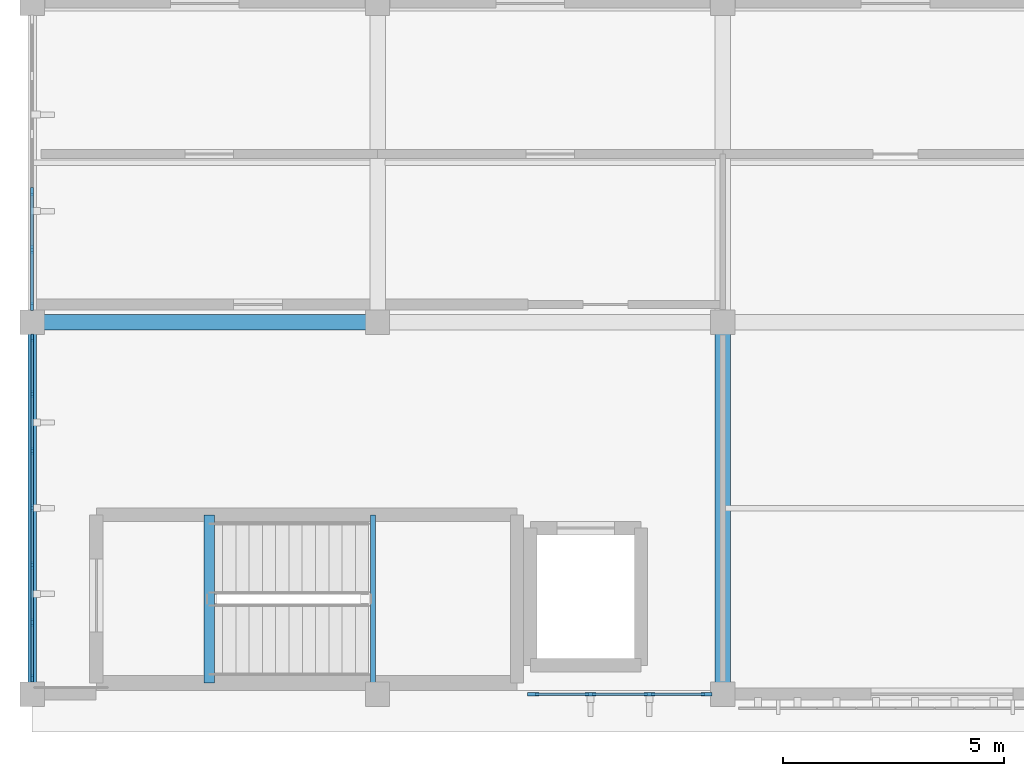
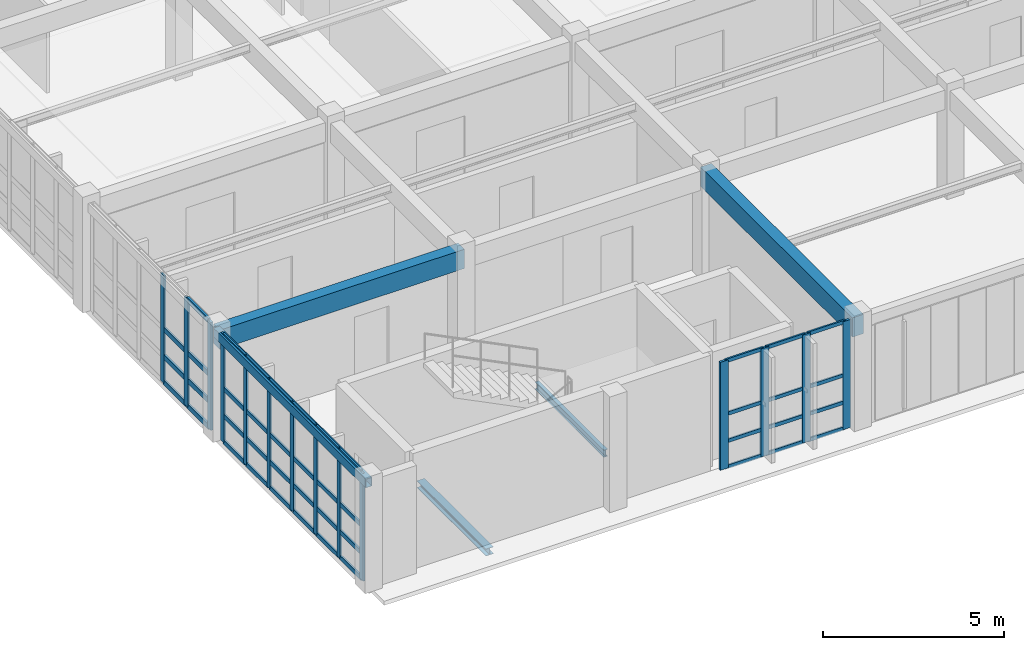
# One storey, part 5 of 35: 57 members, 5 beams, 3 elements without a shape of their own.
"""IFC4 building model written with IfcOpenShell, lengths in metres."""

from ifc_helpers import new_model, si_unit, direction, frame, origin, origin_2d, place, context, subcontext, project, spatial, rectangle, hollow_rectangle, i_section, extrude, material, material_profile, profile_set, type_object, element, aggregate, save


model = new_model("IFC4")

# Units and contexts
model_context = context("Model", 3, precision=1e-05, world=origin(), true_north=direction((0.0, 1.0)))
body_context = subcontext(model_context, "Body", "Model", "MODEL_VIEW")
ifc_project = project(units=[si_unit("LENGTHUNIT", "METRE"), si_unit("AREAUNIT", "SQUARE_METRE"), si_unit("VOLUMEUNIT", "CUBIC_METRE"), si_unit("PLANEANGLEUNIT", "RADIAN"), si_unit("MASSUNIT", "GRAM", prefix="KILO")], contexts=[model_context])

# Site, building, storey
site_placement = place(None, origin())
site = spatial("IfcSite", under=ifc_project, at=site_placement, CompositionType="ELEMENT")
building_placement = place(site_placement, origin())
building = spatial("IfcBuilding", under=site, at=building_placement, Name="Tizgana Railside Sports Hall", CompositionType="ELEMENT")
storey_placement = place(building_placement, frame((0.0, 0.0, 15.89990234375)))
storey = spatial("IfcBuildingStorey", under=building, at=storey_placement, Name="L03", CompositionType="ELEMENT", Elevation=15.89990234375)

# Beams
ifc_material_1 = material(Name="Concrete C35/45", Category="concrete")
ifc_material_profile_1 = material_profile(ifc_material_1, rectangle(XDim=0.35009765625, YDim=0.64990234375, at=origin_2d()), Name="RCB 350x650")
ifc_profile_set_1 = profile_set([ifc_material_profile_1], Name="Concrete C35/45")
beam_type_1 = type_object("IfcBeamType", Name="Concrete Beam RCB 350x650", PredefinedType="BEAM", material=ifc_profile_set_1)
beam_1_placement = place(storey_placement, frame((23.39990234375, 0.0, 3.31103515625), z_axis=(0.0, 1.0, 0.0), x_axis=(-1.0, 0.0, 0.0)))
element("IfcBeam", 1, at=beam_1_placement, inside=storey, type_object=beam_type_1, Name="L03 BEM-0710", PredefinedType="BEAM", context=body_context, shape_type="SweptSolid", body=[
    extrude(rectangle(XDim=0.35009765625, YDim=0.64990234375, at=origin_2d()), origin(), (0.0, 0.0, 1.0), 8.39990234375),
])
beam_2_placement = place(storey_placement, frame((7.800048828125, 8.39990234375, 3.31103515625), z_axis=(1.0, 0.0, 0.0), x_axis=(0.0, 1.0, 0.0)))
element("IfcBeam", 2, at=beam_2_placement, inside=storey, type_object=beam_type_1, Name="L03 BEM-0732", PredefinedType="BEAM", context=body_context, shape_type="SweptSolid", body=[
    extrude(rectangle(XDim=0.35009765625, YDim=0.64990234375, at=origin_2d()), origin(), (0.0, 0.0, 1.0), 7.800048828125),
])

# Curtain wall, members
ifc_material_2 = material(Name="Anodised aluminium and glass", Category="aluminium")
curtain_wall_type_1 = type_object("IfcCurtainWallType", Name="Unitised Curtain Wall Concourse 1500", PredefinedType="NOTDEFINED", material=ifc_material_2)
curtain_wall_1_placement = place(storey_placement, origin())
curtain_wall_1 = element("IfcCurtainWall", 3, at=curtain_wall_1_placement, inside=storey, type_object=curtain_wall_type_1, Name="L03 Curtain Wall CW-0128", PredefinedType="NOTDEFINED")
ifc_material_3 = material(Name="Anodised aluminium", Category="aluminium")
ifc_material_profile_2 = material_profile(ifc_material_3, rectangle(XDim=0.06005859375, YDim=0.179931640625, at=origin_2d()), Name="Mullion 60x180")
ifc_profile_set_2 = profile_set([ifc_material_profile_2], Name="Anodised aluminium")
member_type_1 = type_object("IfcMemberType", Name="Mullion 60x180", PredefinedType="MULLION", material=ifc_profile_set_2)
member_1_placement = place(storey_placement, frame((7.800048828125, 8.0400390625, 0.0), z_axis=(0.0, 0.0, 1.0), x_axis=(1.0, 0.0, 0.0)))
member_1 = element("IfcMember", 4, at=member_1_placement, type_object=member_type_1, Name="CW-01 mullion 1", PredefinedType="MULLION", context=body_context, shape_type="SweptSolid", body=[
    extrude(rectangle(XDim=0.06005859375, YDim=0.179931640625, at=origin_2d()), origin(), (0.0, 0.0, 1.0), 3.64013671875),
])
member_2_placement = place(storey_placement, frame((7.800048828125, 6.780029296875, 0.0), z_axis=(0.0, 0.0, 1.0), x_axis=(1.0, 0.0, 0.0)))
member_2 = element("IfcMember", 5, at=member_2_placement, type_object=member_type_1, Name="CW-01 mullion 2", PredefinedType="MULLION", context=body_context, shape_type="SweptSolid", body=[
    extrude(rectangle(XDim=0.06005859375, YDim=0.179931640625, at=origin_2d()), origin(), (0.0, 0.0, 1.0), 3.64013671875),
])
member_3_placement = place(storey_placement, frame((7.800048828125, 5.489990234375, 0.0), z_axis=(0.0, 0.0, 1.0), x_axis=(1.0, 0.0, 0.0)))
member_3 = element("IfcMember", 6, at=member_3_placement, type_object=member_type_1, Name="CW-01 mullion 3", PredefinedType="MULLION", context=body_context, shape_type="SweptSolid", body=[
    extrude(rectangle(XDim=0.06005859375, YDim=0.179931640625, at=origin_2d()), origin(), (0.0, 0.0, 1.0), 3.64013671875),
])
member_4_placement = place(storey_placement, frame((7.800048828125, 4.199951171875, 0.0), z_axis=(0.0, 0.0, 1.0), x_axis=(1.0, 0.0, 0.0)))
member_4 = element("IfcMember", 7, at=member_4_placement, type_object=member_type_1, Name="CW-01 mullion 4", PredefinedType="MULLION", context=body_context, shape_type="SweptSolid", body=[
    extrude(rectangle(XDim=0.06005859375, YDim=0.179931640625, at=origin_2d()), origin(), (0.0, 0.0, 1.0), 3.64013671875),
])
member_5_placement = place(storey_placement, frame((7.800048828125, 2.909912109375, 0.0), z_axis=(0.0, 0.0, 1.0), x_axis=(1.0, 0.0, 0.0)))
member_5 = element("IfcMember", 8, at=member_5_placement, type_object=member_type_1, Name="CW-01 mullion 5", PredefinedType="MULLION", context=body_context, shape_type="SweptSolid", body=[
    extrude(rectangle(XDim=0.06005859375, YDim=0.179931640625, at=origin_2d()), origin(), (0.0, 0.0, 1.0), 3.64013671875),
])
member_6_placement = place(storey_placement, frame((7.800048828125, 1.6201171875, 0.0), z_axis=(0.0, 0.0, 1.0), x_axis=(1.0, 0.0, 0.0)))
member_6 = element("IfcMember", 9, at=member_6_placement, type_object=member_type_1, Name="CW-01 mullion 6", PredefinedType="MULLION", context=body_context, shape_type="SweptSolid", body=[
    extrude(rectangle(XDim=0.06005859375, YDim=0.179931640625, at=origin_2d()), origin(), (0.0, 0.0, 1.0), 3.64013671875),
])
member_7_placement = place(storey_placement, frame((7.800048828125, 0.360107421875, 0.0), z_axis=(0.0, 0.0, 1.0), x_axis=(1.0, 0.0, 0.0)))
member_7 = element("IfcMember", 10, at=member_7_placement, type_object=member_type_1, Name="CW-01 mullion 7", PredefinedType="MULLION", context=body_context, shape_type="SweptSolid", body=[
    extrude(rectangle(XDim=0.06005859375, YDim=0.179931640625, at=origin_2d()), origin(), (0.0, 0.0, 1.0), 3.64013671875),
])

curtain_wall_type_2 = type_object("IfcCurtainWallType", Name="Unitised Curtain Wall Foyer 1300", PredefinedType="NOTDEFINED", material=ifc_material_2)
curtain_wall_2_placement = place(storey_placement, origin())
curtain_wall_2 = element("IfcCurtainWall", 11, at=curtain_wall_2_placement, inside=storey, type_object=curtain_wall_type_2, Name="L03 Curtain Wall CW-0129", PredefinedType="NOTDEFINED")
ifc_material_profile_3 = material_profile(ifc_material_3, rectangle(XDim=0.06494140625, YDim=0.199951171875, at=origin_2d()), Name="Mullion 65x200")
ifc_profile_set_3 = profile_set([ifc_material_profile_3], Name="Anodised aluminium")
member_type_2 = type_object("IfcMemberType", Name="Mullion 65x200", PredefinedType="MULLION", material=ifc_profile_set_3)
member_8_placement = place(storey_placement, frame((7.800048828125, 11.345947265625, 0.0), z_axis=(0.0, 0.0, 1.0), x_axis=(1.0, 0.0, 0.0)))
member_8 = element("IfcMember", 12, at=member_8_placement, type_object=member_type_2, Name="CW-02 mullion 4", PredefinedType="MULLION", context=body_context, shape_type="SweptSolid", body=[
    extrude(rectangle(XDim=0.06494140625, YDim=0.199951171875, at=origin_2d()), origin(), (0.0, 0.0, 1.0), 3.64013671875),
])
member_9_placement = place(storey_placement, frame((7.800048828125, 10.0380859375, 0.0), z_axis=(0.0, 0.0, 1.0), x_axis=(1.0, 0.0, 0.0)))
member_9 = element("IfcMember", 13, at=member_9_placement, type_object=member_type_2, Name="CW-02 mullion 5", PredefinedType="MULLION", context=body_context, shape_type="SweptSolid", body=[
    extrude(rectangle(XDim=0.06494140625, YDim=0.199951171875, at=origin_2d()), origin(), (0.0, 0.0, 1.0), 3.64013671875),
])
member_10_placement = place(storey_placement, frame((7.800048828125, 8.762451171875, 0.0), z_axis=(0.0, 0.0, 1.0), x_axis=(1.0, 0.0, 0.0)))
member_10 = element("IfcMember", 14, at=member_10_placement, type_object=member_type_2, Name="CW-02 mullion 6", PredefinedType="MULLION", context=body_context, shape_type="SweptSolid", body=[
    extrude(rectangle(XDim=0.06494140625, YDim=0.199951171875, at=origin_2d()), origin(), (0.0, 0.0, 1.0), 3.64013671875),
])

curtain_wall_type_3 = type_object("IfcCurtainWallType", Name="Unitised Curtain Wall EastHall 1500", PredefinedType="NOTDEFINED", material=ifc_material_2)
curtain_wall_3_placement = place(storey_placement, origin())
curtain_wall_3 = element("IfcCurtainWall", 15, at=curtain_wall_3_placement, inside=storey, type_object=curtain_wall_type_3, Name="L03 Curtain Wall CW-0119", PredefinedType="NOTDEFINED")
ifc_material_profile_4 = material_profile(ifc_material_3, rectangle(XDim=0.074951171875, YDim=0.25, at=origin_2d()), Name="Mullion 75x250")
ifc_profile_set_4 = profile_set([ifc_material_profile_4], Name="Anodised aluminium")
member_type_3 = type_object("IfcMemberType", Name="Mullion 75x250", PredefinedType="MULLION", material=ifc_profile_set_4)
member_11_placement = place(storey_placement, frame((23.032470703125, 0.0, 0.0), z_axis=(0.0, 0.0, 1.0), x_axis=(0.0, -1.0, 0.0)))
member_11 = element("IfcMember", 16, at=member_11_placement, type_object=member_type_3, Name="CW-08 mullion 1", PredefinedType="MULLION", context=body_context, shape_type="SweptSolid", body=[
    extrude(rectangle(XDim=0.074951171875, YDim=0.25, at=origin_2d()), origin(), (0.0, 0.0, 1.0), 3.64013671875),
])
member_12_placement = place(storey_placement, frame((21.739990234375, 0.0, 0.0), z_axis=(0.0, 0.0, 1.0), x_axis=(0.0, -1.0, 0.0)))
member_12 = element("IfcMember", 17, at=member_12_placement, type_object=member_type_3, Name="CW-08 mullion 2", PredefinedType="MULLION", context=body_context, shape_type="SweptSolid", body=[
    extrude(rectangle(XDim=0.074951171875, YDim=0.25, at=origin_2d()), origin(), (0.0, 0.0, 1.0), 3.64013671875),
])
member_13_placement = place(storey_placement, frame((20.409912109375, 0.0, 0.0), z_axis=(0.0, 0.0, 1.0), x_axis=(0.0, -1.0, 0.0)))
member_13 = element("IfcMember", 18, at=member_13_placement, type_object=member_type_3, Name="CW-08 mullion 3", PredefinedType="MULLION", context=body_context, shape_type="SweptSolid", body=[
    extrude(rectangle(XDim=0.074951171875, YDim=0.25, at=origin_2d()), origin(), (0.0, 0.0, 1.0), 3.64013671875),
])
member_14_placement = place(storey_placement, frame((19.117431640625, 0.0, 0.0), z_axis=(0.0, 0.0, 1.0), x_axis=(0.0, -1.0, 0.0)))
member_14 = element("IfcMember", 19, at=member_14_placement, type_object=member_type_3, Name="CW-08 mullion 4", PredefinedType="MULLION", context=body_context, shape_type="SweptSolid", body=[
    extrude(rectangle(XDim=0.074951171875, YDim=0.25, at=origin_2d()), origin(), (0.0, 0.0, 1.0), 3.64013671875),
])

# Beams
ifc_material_4 = material(Name="Steel S355J2", Category="steel")
ifc_material_profile_5 = material_profile(ifc_material_4, i_section(OverallWidth=0.1201171875, OverallDepth=0.239990234375, WebThickness=0.006103515625, FlangeThickness=0.009765625, FilletRadius=0.014892578125, at=origin_2d()), Name="IPE 240")
ifc_profile_set_5 = profile_set([ifc_material_profile_5], Name="Steel S355J2")
beam_type_2 = type_object("IfcBeamType", Name="Stair Mid-Landing Header IPE 240", PredefinedType="JOIST", material=ifc_profile_set_5)
beam_3_placement = place(storey_placement, frame((15.5, 0.25, 1.628173828125), z_axis=(0.0, 1.0, 0.0), x_axis=(-1.0, 0.0, 0.0)))
element("IfcBeam", 20, at=beam_3_placement, inside=storey, type_object=beam_type_2, Name="L03 C1 Mid Header 1", PredefinedType="JOIST", context=body_context, shape_type="SweptSolid", body=[
    extrude(i_section(OverallWidth=0.1201171875, OverallDepth=0.239990234375, WebThickness=0.006103515625, FlangeThickness=0.009765625, FilletRadius=0.014892578125, at=origin_2d()), origin(), (0.0, 0.0, 1.0), 3.800048828125),
])
ifc_material_profile_6 = material_profile(ifc_material_4, i_section(OverallWidth=0.239990234375, OverallDepth=0.239990234375, WebThickness=0.010009765625, FlangeThickness=0.01708984375, FilletRadius=0.02099609375, at=origin_2d()), Name="HEB 240")
ifc_profile_set_6 = profile_set([ifc_material_profile_6], Name="Steel S355J2")
beam_type_3 = type_object("IfcBeamType", Name="Steel Beam HEB 240", PredefinedType="BEAM", material=ifc_profile_set_6)
beam_4_placement = place(storey_placement, frame((11.800048828125, 0.25, -0.385986328125), z_axis=(0.0, 1.0, 0.0), x_axis=(-1.0, 0.0, 0.0)))
element("IfcBeam", 21, at=beam_4_placement, inside=storey, type_object=beam_type_3, Name="L03 C1 Landing Header", PredefinedType="BEAM", context=body_context, shape_type="SweptSolid", body=[
    extrude(i_section(OverallWidth=0.239990234375, OverallDepth=0.239990234375, WebThickness=0.010009765625, FlangeThickness=0.01708984375, FilletRadius=0.02099609375, at=origin_2d()), origin(), (0.0, 0.0, 1.0), 3.800048828125),
])
ifc_material_profile_7 = material_profile(ifc_material_4, hollow_rectangle(XDim=0.199951171875, YDim=0.300048828125, WallThickness=0.010009765625, at=origin_2d()), Name="RHS 300x200x10")
ifc_profile_set_7 = profile_set([ifc_material_profile_7], Name="Steel S355J2")
beam_type_4 = type_object("IfcBeamType", Name="Steel Spandrel RHS 300x200x10", PredefinedType="SPANDREL", material=ifc_profile_set_7)
beam_5_placement = place(storey_placement, frame((7.800048828125, 0.0, 3.486083984375), z_axis=(0.0, 1.0, 0.0), x_axis=(-1.0, 0.0, 0.0)))
element("IfcBeam", 22, at=beam_5_placement, inside=storey, type_object=beam_type_4, Name="L03 BEM-0703", PredefinedType="SPANDREL", context=body_context, shape_type="SweptSolid", body=[
    extrude(hollow_rectangle(XDim=0.199951171875, YDim=0.300048828125, WallThickness=0.010009765625, at=origin_2d()), origin(), (0.0, 0.0, 1.0), 8.39990234375),
])

# Member
ifc_material_profile_8 = material_profile(ifc_material_3, rectangle(XDim=0.054931640625, YDim=0.1201171875, at=origin_2d()), Name="Transom 55x120")
ifc_profile_set_8 = profile_set([ifc_material_profile_8], Name="Anodised aluminium")
member_type_4 = type_object("IfcMemberType", Name="Transom 55x120", PredefinedType="USERDEFINED", material=ifc_profile_set_8)
member_15_placement = place(storey_placement, frame((22.9951171875, 0.0, 0.027587890625), z_axis=(-1.0, 0.0, 0.0), x_axis=(0.0, -1.0, 0.0)))
member_15 = element("IfcMember", 23, at=member_15_placement, type_object=member_type_4, Name="CW-08 transom 1.1", ObjectType="TRANSOM", PredefinedType="USERDEFINED", context=body_context, shape_type="SweptSolid", body=[
    extrude(rectangle(XDim=0.054931640625, YDim=0.1201171875, at=origin_2d()), origin(), (0.0, 0.0, 1.0), 1.217529296875),
])

member_16_placement = place(storey_placement, frame((22.9951171875, 0.0, 0.900146484375), z_axis=(-1.0, 0.0, 0.0), x_axis=(0.0, -1.0, 0.0)))
member_16 = element("IfcMember", 24, at=member_16_placement, type_object=member_type_4, Name="CW-08 transom 1.2", ObjectType="TRANSOM", PredefinedType="USERDEFINED", context=body_context, shape_type="SweptSolid", body=[
    extrude(rectangle(XDim=0.054931640625, YDim=0.1201171875, at=origin_2d()), origin(), (0.0, 0.0, 1.0), 1.217529296875),
])

member_17_placement = place(storey_placement, frame((22.9951171875, 0.0, 1.820068359375), z_axis=(-1.0, 0.0, 0.0), x_axis=(0.0, -1.0, 0.0)))
member_17 = element("IfcMember", 25, at=member_17_placement, type_object=member_type_4, Name="CW-08 transom 1.3", ObjectType="TRANSOM", PredefinedType="USERDEFINED", context=body_context, shape_type="SweptSolid", body=[
    extrude(rectangle(XDim=0.054931640625, YDim=0.1201171875, at=origin_2d()), origin(), (0.0, 0.0, 1.0), 1.217529296875),
])

member_18_placement = place(storey_placement, frame((22.9951171875, 0.0, 3.612548828125), z_axis=(-1.0, 0.0, 0.0), x_axis=(0.0, -1.0, 0.0)))
member_18 = element("IfcMember", 26, at=member_18_placement, type_object=member_type_4, Name="CW-08 transom 1.4", ObjectType="TRANSOM", PredefinedType="USERDEFINED", context=body_context, shape_type="SweptSolid", body=[
    extrude(rectangle(XDim=0.054931640625, YDim=0.1201171875, at=origin_2d()), origin(), (0.0, 0.0, 1.0), 1.217529296875),
])

member_19_placement = place(storey_placement, frame((21.702392578125, 0.0, 0.027587890625), z_axis=(-1.0, 0.0, 0.0), x_axis=(0.0, -1.0, 0.0)))
member_19 = element("IfcMember", 27, at=member_19_placement, type_object=member_type_4, Name="CW-08 transom 2.1", ObjectType="TRANSOM", PredefinedType="USERDEFINED", context=body_context, shape_type="SweptSolid", body=[
    extrude(rectangle(XDim=0.054931640625, YDim=0.1201171875, at=origin_2d()), origin(), (0.0, 0.0, 1.0), 1.2548828125),
])

member_20_placement = place(storey_placement, frame((21.702392578125, 0.0, 0.900146484375), z_axis=(-1.0, 0.0, 0.0), x_axis=(0.0, -1.0, 0.0)))
member_20 = element("IfcMember", 28, at=member_20_placement, type_object=member_type_4, Name="CW-08 transom 2.2", ObjectType="TRANSOM", PredefinedType="USERDEFINED", context=body_context, shape_type="SweptSolid", body=[
    extrude(rectangle(XDim=0.054931640625, YDim=0.1201171875, at=origin_2d()), origin(), (0.0, 0.0, 1.0), 1.2548828125),
])

member_21_placement = place(storey_placement, frame((21.702392578125, 0.0, 1.820068359375), z_axis=(-1.0, 0.0, 0.0), x_axis=(0.0, -1.0, 0.0)))
member_21 = element("IfcMember", 29, at=member_21_placement, type_object=member_type_4, Name="CW-08 transom 2.3", ObjectType="TRANSOM", PredefinedType="USERDEFINED", context=body_context, shape_type="SweptSolid", body=[
    extrude(rectangle(XDim=0.054931640625, YDim=0.1201171875, at=origin_2d()), origin(), (0.0, 0.0, 1.0), 1.2548828125),
])

member_22_placement = place(storey_placement, frame((21.702392578125, 0.0, 3.612548828125), z_axis=(-1.0, 0.0, 0.0), x_axis=(0.0, -1.0, 0.0)))
member_22 = element("IfcMember", 30, at=member_22_placement, type_object=member_type_4, Name="CW-08 transom 2.4", ObjectType="TRANSOM", PredefinedType="USERDEFINED", context=body_context, shape_type="SweptSolid", body=[
    extrude(rectangle(XDim=0.054931640625, YDim=0.1201171875, at=origin_2d()), origin(), (0.0, 0.0, 1.0), 1.2548828125),
])

member_23_placement = place(storey_placement, frame((20.37255859375, 0.0, 0.027587890625), z_axis=(-1.0, 0.0, 0.0), x_axis=(0.0, -1.0, 0.0)))
member_23 = element("IfcMember", 31, at=member_23_placement, type_object=member_type_4, Name="CW-08 transom 3.1", ObjectType="TRANSOM", PredefinedType="USERDEFINED", context=body_context, shape_type="SweptSolid", body=[
    extrude(rectangle(XDim=0.054931640625, YDim=0.1201171875, at=origin_2d()), origin(), (0.0, 0.0, 1.0), 1.217529296875),
])

member_24_placement = place(storey_placement, frame((20.37255859375, 0.0, 0.900146484375), z_axis=(-1.0, 0.0, 0.0), x_axis=(0.0, -1.0, 0.0)))
member_24 = element("IfcMember", 32, at=member_24_placement, type_object=member_type_4, Name="CW-08 transom 3.2", ObjectType="TRANSOM", PredefinedType="USERDEFINED", context=body_context, shape_type="SweptSolid", body=[
    extrude(rectangle(XDim=0.054931640625, YDim=0.1201171875, at=origin_2d()), origin(), (0.0, 0.0, 1.0), 1.217529296875),
])

member_25_placement = place(storey_placement, frame((20.37255859375, 0.0, 1.820068359375), z_axis=(-1.0, 0.0, 0.0), x_axis=(0.0, -1.0, 0.0)))
member_25 = element("IfcMember", 33, at=member_25_placement, type_object=member_type_4, Name="CW-08 transom 3.3", ObjectType="TRANSOM", PredefinedType="USERDEFINED", context=body_context, shape_type="SweptSolid", body=[
    extrude(rectangle(XDim=0.054931640625, YDim=0.1201171875, at=origin_2d()), origin(), (0.0, 0.0, 1.0), 1.217529296875),
])

member_26_placement = place(storey_placement, frame((20.37255859375, 0.0, 3.612548828125), z_axis=(-1.0, 0.0, 0.0), x_axis=(0.0, -1.0, 0.0)))
member_26 = element("IfcMember", 34, at=member_26_placement, type_object=member_type_4, Name="CW-08 transom 3.4", ObjectType="TRANSOM", PredefinedType="USERDEFINED", context=body_context, shape_type="SweptSolid", body=[
    extrude(rectangle(XDim=0.054931640625, YDim=0.1201171875, at=origin_2d()), origin(), (0.0, 0.0, 1.0), 1.217529296875),
])

aggregate(curtain_wall_3, [member_11, member_12, member_13, member_14, member_15, member_16, member_17, member_18, member_19, member_20, member_21, member_22, member_23, member_24, member_25, member_26])

ifc_material_profile_9 = material_profile(ifc_material_3, rectangle(XDim=0.06005859375, YDim=0.14990234375, at=origin_2d()), Name="Transom 60x150")
ifc_profile_set_9 = profile_set([ifc_material_profile_9], Name="Anodised aluminium")
member_type_5 = type_object("IfcMemberType", Name="Transom 60x150", PredefinedType="USERDEFINED", material=ifc_profile_set_9)
member_27_placement = place(storey_placement, frame((7.800048828125, 8.010009765625, 0.030029296875), z_axis=(0.0, -1.0, 0.0), x_axis=(1.0, 0.0, 0.0)))
member_27 = element("IfcMember", 35, at=member_27_placement, type_object=member_type_5, Name="CW-01 transom 1.1", ObjectType="TRANSOM", PredefinedType="USERDEFINED", context=body_context, shape_type="SweptSolid", body=[
    extrude(rectangle(XDim=0.06005859375, YDim=0.14990234375, at=origin_2d()), origin(), (0.0, 0.0, 1.0), 1.199951171875),
])

member_28_placement = place(storey_placement, frame((7.800048828125, 8.010009765625, 0.900146484375), z_axis=(0.0, -1.0, 0.0), x_axis=(1.0, 0.0, 0.0)))
member_28 = element("IfcMember", 36, at=member_28_placement, type_object=member_type_5, Name="CW-01 transom 1.2", ObjectType="TRANSOM", PredefinedType="USERDEFINED", context=body_context, shape_type="SweptSolid", body=[
    extrude(rectangle(XDim=0.06005859375, YDim=0.14990234375, at=origin_2d()), origin(), (0.0, 0.0, 1.0), 1.199951171875),
])

member_29_placement = place(storey_placement, frame((7.800048828125, 8.010009765625, 1.820068359375), z_axis=(0.0, -1.0, 0.0), x_axis=(1.0, 0.0, 0.0)))
member_29 = element("IfcMember", 37, at=member_29_placement, type_object=member_type_5, Name="CW-01 transom 1.3", ObjectType="TRANSOM", PredefinedType="USERDEFINED", context=body_context, shape_type="SweptSolid", body=[
    extrude(rectangle(XDim=0.06005859375, YDim=0.14990234375, at=origin_2d()), origin(), (0.0, 0.0, 1.0), 1.199951171875),
])

member_30_placement = place(storey_placement, frame((7.800048828125, 8.010009765625, 3.610107421875), z_axis=(0.0, -1.0, 0.0), x_axis=(1.0, 0.0, 0.0)))
member_30 = element("IfcMember", 38, at=member_30_placement, type_object=member_type_5, Name="CW-01 transom 1.4", ObjectType="TRANSOM", PredefinedType="USERDEFINED", context=body_context, shape_type="SweptSolid", body=[
    extrude(rectangle(XDim=0.06005859375, YDim=0.14990234375, at=origin_2d()), origin(), (0.0, 0.0, 1.0), 1.199951171875),
])

member_31_placement = place(storey_placement, frame((7.800048828125, 6.75, 0.030029296875), z_axis=(0.0, -1.0, 0.0), x_axis=(1.0, 0.0, 0.0)))
member_31 = element("IfcMember", 39, at=member_31_placement, type_object=member_type_5, Name="CW-01 transom 2.1", ObjectType="TRANSOM", PredefinedType="USERDEFINED", context=body_context, shape_type="SweptSolid", body=[
    extrude(rectangle(XDim=0.06005859375, YDim=0.14990234375, at=origin_2d()), origin(), (0.0, 0.0, 1.0), 1.22998046875),
])

member_32_placement = place(storey_placement, frame((7.800048828125, 6.75, 0.900146484375), z_axis=(0.0, -1.0, 0.0), x_axis=(1.0, 0.0, 0.0)))
member_32 = element("IfcMember", 40, at=member_32_placement, type_object=member_type_5, Name="CW-01 transom 2.2", ObjectType="TRANSOM", PredefinedType="USERDEFINED", context=body_context, shape_type="SweptSolid", body=[
    extrude(rectangle(XDim=0.06005859375, YDim=0.14990234375, at=origin_2d()), origin(), (0.0, 0.0, 1.0), 1.22998046875),
])

member_33_placement = place(storey_placement, frame((7.800048828125, 6.75, 1.820068359375), z_axis=(0.0, -1.0, 0.0), x_axis=(1.0, 0.0, 0.0)))
member_33 = element("IfcMember", 41, at=member_33_placement, type_object=member_type_5, Name="CW-01 transom 2.3", ObjectType="TRANSOM", PredefinedType="USERDEFINED", context=body_context, shape_type="SweptSolid", body=[
    extrude(rectangle(XDim=0.06005859375, YDim=0.14990234375, at=origin_2d()), origin(), (0.0, 0.0, 1.0), 1.22998046875),
])

member_34_placement = place(storey_placement, frame((7.800048828125, 6.75, 3.610107421875), z_axis=(0.0, -1.0, 0.0), x_axis=(1.0, 0.0, 0.0)))
member_34 = element("IfcMember", 42, at=member_34_placement, type_object=member_type_5, Name="CW-01 transom 2.4", ObjectType="TRANSOM", PredefinedType="USERDEFINED", context=body_context, shape_type="SweptSolid", body=[
    extrude(rectangle(XDim=0.06005859375, YDim=0.14990234375, at=origin_2d()), origin(), (0.0, 0.0, 1.0), 1.22998046875),
])

member_35_placement = place(storey_placement, frame((7.800048828125, 5.4599609375, 0.030029296875), z_axis=(0.0, -1.0, 0.0), x_axis=(1.0, 0.0, 0.0)))
member_35 = element("IfcMember", 43, at=member_35_placement, type_object=member_type_5, Name="CW-01 transom 3.1", ObjectType="TRANSOM", PredefinedType="USERDEFINED", context=body_context, shape_type="SweptSolid", body=[
    extrude(rectangle(XDim=0.06005859375, YDim=0.14990234375, at=origin_2d()), origin(), (0.0, 0.0, 1.0), 1.22998046875),
])

member_36_placement = place(storey_placement, frame((7.800048828125, 5.4599609375, 0.900146484375), z_axis=(0.0, -1.0, 0.0), x_axis=(1.0, 0.0, 0.0)))
member_36 = element("IfcMember", 44, at=member_36_placement, type_object=member_type_5, Name="CW-01 transom 3.2", ObjectType="TRANSOM", PredefinedType="USERDEFINED", context=body_context, shape_type="SweptSolid", body=[
    extrude(rectangle(XDim=0.06005859375, YDim=0.14990234375, at=origin_2d()), origin(), (0.0, 0.0, 1.0), 1.22998046875),
])

member_37_placement = place(storey_placement, frame((7.800048828125, 5.4599609375, 1.820068359375), z_axis=(0.0, -1.0, 0.0), x_axis=(1.0, 0.0, 0.0)))
member_37 = element("IfcMember", 45, at=member_37_placement, type_object=member_type_5, Name="CW-01 transom 3.3", ObjectType="TRANSOM", PredefinedType="USERDEFINED", context=body_context, shape_type="SweptSolid", body=[
    extrude(rectangle(XDim=0.06005859375, YDim=0.14990234375, at=origin_2d()), origin(), (0.0, 0.0, 1.0), 1.22998046875),
])

member_38_placement = place(storey_placement, frame((7.800048828125, 5.4599609375, 3.610107421875), z_axis=(0.0, -1.0, 0.0), x_axis=(1.0, 0.0, 0.0)))
member_38 = element("IfcMember", 46, at=member_38_placement, type_object=member_type_5, Name="CW-01 transom 3.4", ObjectType="TRANSOM", PredefinedType="USERDEFINED", context=body_context, shape_type="SweptSolid", body=[
    extrude(rectangle(XDim=0.06005859375, YDim=0.14990234375, at=origin_2d()), origin(), (0.0, 0.0, 1.0), 1.22998046875),
])

member_39_placement = place(storey_placement, frame((7.800048828125, 4.169921875, 0.030029296875), z_axis=(0.0, -1.0, 0.0), x_axis=(1.0, 0.0, 0.0)))
member_39 = element("IfcMember", 47, at=member_39_placement, type_object=member_type_5, Name="CW-01 transom 4.1", ObjectType="TRANSOM", PredefinedType="USERDEFINED", context=body_context, shape_type="SweptSolid", body=[
    extrude(rectangle(XDim=0.06005859375, YDim=0.14990234375, at=origin_2d()), origin(), (0.0, 0.0, 1.0), 1.22998046875),
])

member_40_placement = place(storey_placement, frame((7.800048828125, 4.169921875, 0.900146484375), z_axis=(0.0, -1.0, 0.0), x_axis=(1.0, 0.0, 0.0)))
member_40 = element("IfcMember", 48, at=member_40_placement, type_object=member_type_5, Name="CW-01 transom 4.2", ObjectType="TRANSOM", PredefinedType="USERDEFINED", context=body_context, shape_type="SweptSolid", body=[
    extrude(rectangle(XDim=0.06005859375, YDim=0.14990234375, at=origin_2d()), origin(), (0.0, 0.0, 1.0), 1.22998046875),
])

member_41_placement = place(storey_placement, frame((7.800048828125, 4.169921875, 1.820068359375), z_axis=(0.0, -1.0, 0.0), x_axis=(1.0, 0.0, 0.0)))
member_41 = element("IfcMember", 49, at=member_41_placement, type_object=member_type_5, Name="CW-01 transom 4.3", ObjectType="TRANSOM", PredefinedType="USERDEFINED", context=body_context, shape_type="SweptSolid", body=[
    extrude(rectangle(XDim=0.06005859375, YDim=0.14990234375, at=origin_2d()), origin(), (0.0, 0.0, 1.0), 1.22998046875),
])

member_42_placement = place(storey_placement, frame((7.800048828125, 4.169921875, 3.610107421875), z_axis=(0.0, -1.0, 0.0), x_axis=(1.0, 0.0, 0.0)))
member_42 = element("IfcMember", 50, at=member_42_placement, type_object=member_type_5, Name="CW-01 transom 4.4", ObjectType="TRANSOM", PredefinedType="USERDEFINED", context=body_context, shape_type="SweptSolid", body=[
    extrude(rectangle(XDim=0.06005859375, YDim=0.14990234375, at=origin_2d()), origin(), (0.0, 0.0, 1.0), 1.22998046875),
])

member_43_placement = place(storey_placement, frame((7.800048828125, 2.8798828125, 0.030029296875), z_axis=(0.0, -1.0, 0.0), x_axis=(1.0, 0.0, 0.0)))
member_43 = element("IfcMember", 51, at=member_43_placement, type_object=member_type_5, Name="CW-01 transom 5.1", ObjectType="TRANSOM", PredefinedType="USERDEFINED", context=body_context, shape_type="SweptSolid", body=[
    extrude(rectangle(XDim=0.06005859375, YDim=0.14990234375, at=origin_2d()), origin(), (0.0, 0.0, 1.0), 1.22998046875),
])

member_44_placement = place(storey_placement, frame((7.800048828125, 2.8798828125, 0.900146484375), z_axis=(0.0, -1.0, 0.0), x_axis=(1.0, 0.0, 0.0)))
member_44 = element("IfcMember", 52, at=member_44_placement, type_object=member_type_5, Name="CW-01 transom 5.2", ObjectType="TRANSOM", PredefinedType="USERDEFINED", context=body_context, shape_type="SweptSolid", body=[
    extrude(rectangle(XDim=0.06005859375, YDim=0.14990234375, at=origin_2d()), origin(), (0.0, 0.0, 1.0), 1.22998046875),
])

member_45_placement = place(storey_placement, frame((7.800048828125, 2.8798828125, 1.820068359375), z_axis=(0.0, -1.0, 0.0), x_axis=(1.0, 0.0, 0.0)))
member_45 = element("IfcMember", 53, at=member_45_placement, type_object=member_type_5, Name="CW-01 transom 5.3", ObjectType="TRANSOM", PredefinedType="USERDEFINED", context=body_context, shape_type="SweptSolid", body=[
    extrude(rectangle(XDim=0.06005859375, YDim=0.14990234375, at=origin_2d()), origin(), (0.0, 0.0, 1.0), 1.22998046875),
])

member_46_placement = place(storey_placement, frame((7.800048828125, 2.8798828125, 3.610107421875), z_axis=(0.0, -1.0, 0.0), x_axis=(1.0, 0.0, 0.0)))
member_46 = element("IfcMember", 54, at=member_46_placement, type_object=member_type_5, Name="CW-01 transom 5.4", ObjectType="TRANSOM", PredefinedType="USERDEFINED", context=body_context, shape_type="SweptSolid", body=[
    extrude(rectangle(XDim=0.06005859375, YDim=0.14990234375, at=origin_2d()), origin(), (0.0, 0.0, 1.0), 1.22998046875),
])

member_47_placement = place(storey_placement, frame((7.800048828125, 1.590087890625, 0.030029296875), z_axis=(0.0, -1.0, 0.0), x_axis=(1.0, 0.0, 0.0)))
member_47 = element("IfcMember", 55, at=member_47_placement, type_object=member_type_5, Name="CW-01 transom 6.1", ObjectType="TRANSOM", PredefinedType="USERDEFINED", context=body_context, shape_type="SweptSolid", body=[
    extrude(rectangle(XDim=0.06005859375, YDim=0.14990234375, at=origin_2d()), origin(), (0.0, 0.0, 1.0), 1.2001953125),
])

member_48_placement = place(storey_placement, frame((7.800048828125, 1.590087890625, 0.900146484375), z_axis=(0.0, -1.0, 0.0), x_axis=(1.0, 0.0, 0.0)))
member_48 = element("IfcMember", 56, at=member_48_placement, type_object=member_type_5, Name="CW-01 transom 6.2", ObjectType="TRANSOM", PredefinedType="USERDEFINED", context=body_context, shape_type="SweptSolid", body=[
    extrude(rectangle(XDim=0.06005859375, YDim=0.14990234375, at=origin_2d()), origin(), (0.0, 0.0, 1.0), 1.2001953125),
])

member_49_placement = place(storey_placement, frame((7.800048828125, 1.590087890625, 1.820068359375), z_axis=(0.0, -1.0, 0.0), x_axis=(1.0, 0.0, 0.0)))
member_49 = element("IfcMember", 57, at=member_49_placement, type_object=member_type_5, Name="CW-01 transom 6.3", ObjectType="TRANSOM", PredefinedType="USERDEFINED", context=body_context, shape_type="SweptSolid", body=[
    extrude(rectangle(XDim=0.06005859375, YDim=0.14990234375, at=origin_2d()), origin(), (0.0, 0.0, 1.0), 1.2001953125),
])

member_50_placement = place(storey_placement, frame((7.800048828125, 1.590087890625, 3.610107421875), z_axis=(0.0, -1.0, 0.0), x_axis=(1.0, 0.0, 0.0)))
member_50 = element("IfcMember", 58, at=member_50_placement, type_object=member_type_5, Name="CW-01 transom 6.4", ObjectType="TRANSOM", PredefinedType="USERDEFINED", context=body_context, shape_type="SweptSolid", body=[
    extrude(rectangle(XDim=0.06005859375, YDim=0.14990234375, at=origin_2d()), origin(), (0.0, 0.0, 1.0), 1.2001953125),
])

aggregate(curtain_wall_1, [member_1, member_2, member_3, member_4, member_5, member_6, member_7, member_27, member_28, member_29, member_30, member_31, member_32, member_33, member_34, member_35, member_36, member_37, member_38, member_39, member_40, member_41, member_42, member_43, member_44, member_45, member_46, member_47, member_48, member_49, member_50])

ifc_material_profile_10 = material_profile(ifc_material_3, rectangle(XDim=0.06494140625, YDim=0.169921875, at=origin_2d()), Name="Transom 65x170")
ifc_profile_set_10 = profile_set([ifc_material_profile_10], Name="Anodised aluminium")
member_type_6 = type_object("IfcMemberType", Name="Transom 65x170", PredefinedType="USERDEFINED", material=ifc_profile_set_10)
member_51_placement = place(storey_placement, frame((7.800048828125, 11.3134765625, 0.03271484375), z_axis=(0.0, -1.0, 0.0), x_axis=(1.0, 0.0, 0.0)))
member_51 = element("IfcMember", 59, at=member_51_placement, type_object=member_type_6, Name="CW-02 transom 4.1", ObjectType="TRANSOM", PredefinedType="USERDEFINED", context=body_context, shape_type="SweptSolid", body=[
    extrude(rectangle(XDim=0.06494140625, YDim=0.169921875, at=origin_2d()), origin(), (0.0, 0.0, 1.0), 1.242919921875),
])

member_52_placement = place(storey_placement, frame((7.800048828125, 11.3134765625, 0.900146484375), z_axis=(0.0, -1.0, 0.0), x_axis=(1.0, 0.0, 0.0)))
member_52 = element("IfcMember", 60, at=member_52_placement, type_object=member_type_6, Name="CW-02 transom 4.2", ObjectType="TRANSOM", PredefinedType="USERDEFINED", context=body_context, shape_type="SweptSolid", body=[
    extrude(rectangle(XDim=0.06494140625, YDim=0.169921875, at=origin_2d()), origin(), (0.0, 0.0, 1.0), 1.242919921875),
])

member_53_placement = place(storey_placement, frame((7.800048828125, 11.3134765625, 1.820068359375), z_axis=(0.0, -1.0, 0.0), x_axis=(1.0, 0.0, 0.0)))
member_53 = element("IfcMember", 61, at=member_53_placement, type_object=member_type_6, Name="CW-02 transom 4.3", ObjectType="TRANSOM", PredefinedType="USERDEFINED", context=body_context, shape_type="SweptSolid", body=[
    extrude(rectangle(XDim=0.06494140625, YDim=0.169921875, at=origin_2d()), origin(), (0.0, 0.0, 1.0), 1.242919921875),
])

member_54_placement = place(storey_placement, frame((7.800048828125, 10.005615234375, 0.03271484375), z_axis=(0.0, -1.0, 0.0), x_axis=(1.0, 0.0, 0.0)))
member_54 = element("IfcMember", 62, at=member_54_placement, type_object=member_type_6, Name="CW-02 transom 5.1", ObjectType="TRANSOM", PredefinedType="USERDEFINED", context=body_context, shape_type="SweptSolid", body=[
    extrude(rectangle(XDim=0.06494140625, YDim=0.169921875, at=origin_2d()), origin(), (0.0, 0.0, 1.0), 1.210693359375),
])

member_55_placement = place(storey_placement, frame((7.800048828125, 10.005615234375, 0.900146484375), z_axis=(0.0, -1.0, 0.0), x_axis=(1.0, 0.0, 0.0)))
member_55 = element("IfcMember", 63, at=member_55_placement, type_object=member_type_6, Name="CW-02 transom 5.2", ObjectType="TRANSOM", PredefinedType="USERDEFINED", context=body_context, shape_type="SweptSolid", body=[
    extrude(rectangle(XDim=0.06494140625, YDim=0.169921875, at=origin_2d()), origin(), (0.0, 0.0, 1.0), 1.210693359375),
])

member_56_placement = place(storey_placement, frame((7.800048828125, 10.005615234375, 1.820068359375), z_axis=(0.0, -1.0, 0.0), x_axis=(1.0, 0.0, 0.0)))
member_56 = element("IfcMember", 64, at=member_56_placement, type_object=member_type_6, Name="CW-02 transom 5.3", ObjectType="TRANSOM", PredefinedType="USERDEFINED", context=body_context, shape_type="SweptSolid", body=[
    extrude(rectangle(XDim=0.06494140625, YDim=0.169921875, at=origin_2d()), origin(), (0.0, 0.0, 1.0), 1.210693359375),
])

member_57_placement = place(storey_placement, frame((7.800048828125, 10.005615234375, 3.607666015625), z_axis=(0.0, -1.0, 0.0), x_axis=(1.0, 0.0, 0.0)))
member_57 = element("IfcMember", 65, at=member_57_placement, type_object=member_type_6, Name="CW-02 transom 5.4", ObjectType="TRANSOM", PredefinedType="USERDEFINED", context=body_context, shape_type="SweptSolid", body=[
    extrude(rectangle(XDim=0.06494140625, YDim=0.169921875, at=origin_2d()), origin(), (0.0, 0.0, 1.0), 1.210693359375),
])

aggregate(curtain_wall_2, [member_8, member_9, member_10, member_51, member_52, member_53, member_54, member_55, member_56, member_57])

save(model, "model.ifc")
